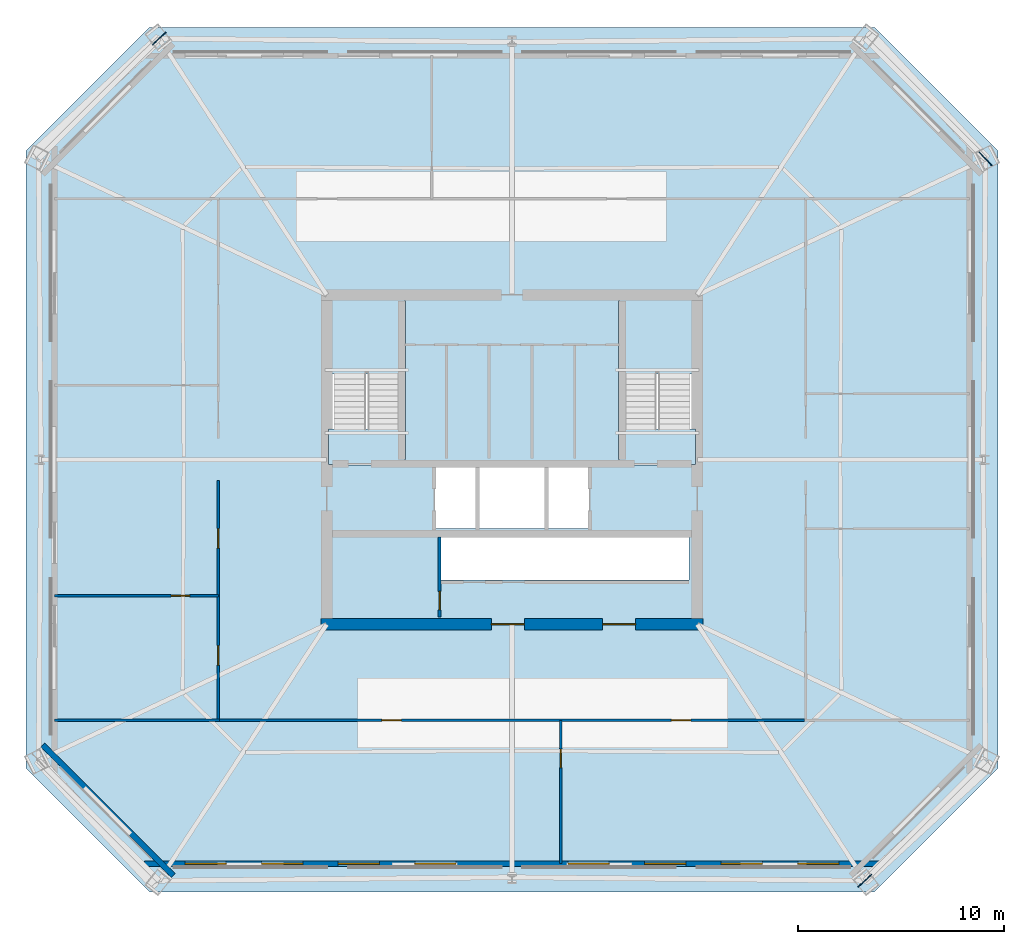
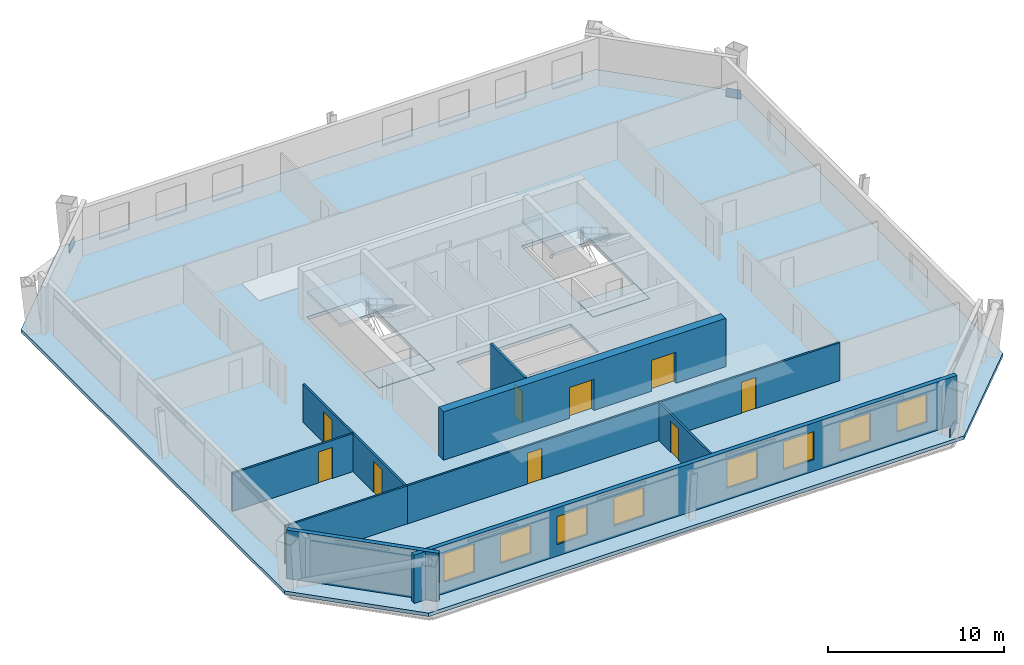
# One storey, part 2 of 7: 9 doors, 9 walls, 8 windows, 5 slabs, 3 plates, 17 openings, 2 elements without a shape of their own.
"""IFC4 building model written with IfcOpenShell, lengths in metres."""

from ifc_helpers import new_model, si_unit, direction, frame, frame_2d, origin, origin_2d, place, context, subcontext, project, spatial, polyline, rectangle, outline, extrude, material, layer, layer_set, type_object, element, fill, aggregate, save


model = new_model("IFC4")

# Units and contexts
model_context = context("Model", 3, precision=1e-05, world=origin(), true_north=direction((0.0, 1.0)))
body_context = subcontext(model_context, "Body", "Model", "MODEL_VIEW")
ifc_project = project(units=[si_unit("LENGTHUNIT", "METRE"), si_unit("AREAUNIT", "SQUARE_METRE"), si_unit("VOLUMEUNIT", "CUBIC_METRE"), si_unit("PLANEANGLEUNIT", "RADIAN"), si_unit("MASSUNIT", "GRAM", prefix="KILO")], contexts=[model_context])

# Site, building, storey
site_placement = place(None, origin())
site = spatial("IfcSite", under=ifc_project, at=site_placement, CompositionType="ELEMENT")
building_placement = place(site_placement, origin())
building = spatial("IfcBuilding", under=site, at=building_placement, Name="Caelvoria Tower", CompositionType="ELEMENT")
storey_placement = place(building_placement, frame((0.0, 0.0, 124.0)))
storey = spatial("IfcBuildingStorey", under=building, at=storey_placement, Name="L32", CompositionType="ELEMENT", Elevation=124.0)

# Plates
ifc_material_1 = material(Name="Structural Steel ASTM A572 Gr.50", Category="steel")
ifc_layer_1 = layer(ifc_material_1, 0.0400390625, Name="Structural Steel ASTM A572 Gr.50")
ifc_layer_set_1 = layer_set([ifc_layer_1], Name="Megaframe Node Gusset Plate 900x600x40 - Structural Steel ASTM A572 Gr.50")
plate_type = type_object("IfcPlateType", Name="Megaframe Node Gusset Plate 900x600x40", PredefinedType="USERDEFINED", material=ifc_layer_set_1)
for number, where, z_axis, x_axis, name in (
    (1, (63.137451171875, 11.5517578125, 0.02001953125), (0.0, 0.0, 1.0), (0.734642305205, 0.678454628846, 0.0), "Chamfer Mega Brace Gusset L32 SE"),
    (2, (68.992431640625, 46.61376953125, 0.02001953125), (0.0, 0.0, 1.0), (-0.680773286887, 0.732494185548, 0.0), "Chamfer Mega Brace Gusset L32 NE"),
    (3, (28.862548828125, 52.4482421875, 0.02001953125), (0.0, 0.0, 1.0), (-0.734642305205, -0.678454628846, 0.0), "Chamfer Mega Brace Gusset L32 NW"),
):
    element("IfcPlate", number, at=place(storey_placement, frame(where, z_axis=z_axis, x_axis=x_axis)), inside=storey, type_object=plate_type, Name=name, ObjectType="GUSSET_PLATE", PredefinedType="USERDEFINED", context=body_context, shape_type="SweptSolid", body=[
        extrude(rectangle(XDim=0.89990234375, YDim=0.0400390625, at=origin_2d()), origin(), (0.0, 0.0, 1.0), 0.60009765625),
    ])

# Stair, slabs
ifc_material_2 = material(Name="Concrete C40/50", Category="concrete")
stair_type = type_object("IfcStairType", Name="Core Smokeproof Dogleg Stair Concrete C40/50", PredefinedType="HALF_TURN_STAIR", material=ifc_material_2)
stair_1_placement = place(storey_placement, origin())
stair_1 = element("IfcStair", 4, at=stair_1_placement, inside=storey, type_object=stair_type, Name="ST-01 Smokeproof Exit Stair L32", PredefinedType="HALF_TURN_STAIR")
ifc_layer_2 = layer(ifc_material_2, 0.199951171875, Name="Concrete C40/50")
ifc_layer_set_2 = layer_set([ifc_layer_2], Name="Stair Half and Floor Landing Slab 200 Concrete C40/50 - Concrete C40/50")
slab_type_1 = type_object("IfcSlabType", Name="Stair Half and Floor Landing Slab 200 Concrete C40/50", PredefinedType="LANDING", material=ifc_layer_set_2)
slab_1_placement = place(storey_placement, frame((0.0, 0.0, -0.199951171875)))
slab_1 = element("IfcSlab", 5, at=slab_1_placement, type_object=slab_type_1, Name="ST-01 landing 1", PredefinedType="LANDING", context=body_context, shape_type="SweptSolid", body=[
    extrude(outline(polyline([(37.10009765625, 31.77001953125), (40.800048828125, 31.77001953125), (40.800048828125, 33.5), (37.10009765625, 33.5), (37.10009765625, 31.77001953125)])), origin(), (0.0, 0.0, 1.0), 0.199951171875),
])
slab_2_placement = place(storey_placement, frame((0.0, 0.0, 1.60009765625)))
slab_2 = element("IfcSlab", 6, at=slab_2_placement, type_object=slab_type_1, Name="ST-01 landing 2", PredefinedType="LANDING", context=body_context, shape_type="SweptSolid", body=[
    extrude(outline(polyline([(37.10009765625, 36.14990234375), (40.800048828125, 36.14990234375), (40.800048828125, 39.89990234375), (37.10009765625, 39.89990234375), (37.10009765625, 36.14990234375)])), origin(), (0.0, 0.0, 1.0), 0.199951171875),
])
aggregate(stair_1, [slab_1, slab_2])

stair_2_placement = place(storey_placement, origin())
stair_2 = element("IfcStair", 7, at=stair_2_placement, inside=storey, type_object=stair_type, Name="ST-02 Smokeproof Exit Stair L32", PredefinedType="HALF_TURN_STAIR")
slab_3_placement = place(storey_placement, frame((0.0, 0.0, -0.199951171875)))
slab_3 = element("IfcSlab", 8, at=slab_3_placement, type_object=slab_type_1, Name="ST-02 landing 1", PredefinedType="LANDING", context=body_context, shape_type="SweptSolid", body=[
    extrude(outline(polyline([(51.199951171875, 31.77001953125), (54.89990234375, 31.77001953125), (54.89990234375, 33.5), (51.199951171875, 33.5), (51.199951171875, 31.77001953125)])), origin(), (0.0, 0.0, 1.0), 0.199951171875),
])
slab_4_placement = place(storey_placement, frame((0.0, 0.0, 1.60009765625)))
slab_4 = element("IfcSlab", 9, at=slab_4_placement, type_object=slab_type_1, Name="ST-02 landing 2", PredefinedType="LANDING", context=body_context, shape_type="SweptSolid", body=[
    extrude(outline(polyline([(51.199951171875, 36.14990234375), (54.89990234375, 36.14990234375), (54.89990234375, 39.89990234375), (51.199951171875, 39.89990234375), (51.199951171875, 36.14990234375)])), origin(), (0.0, 0.0, 1.0), 0.199951171875),
])
aggregate(stair_2, [slab_3, slab_4])

# Slab
ifc_layer_3 = layer(ifc_material_2, 0.239990234375, Name="Concrete C40/50")
ifc_layer_set_3 = layer_set([ifc_layer_3], Name="Tower Composite Office Slab 240 - Concrete C40/50")
slab_type_2 = type_object("IfcSlabType", Name="Tower Composite Office Slab 240", PredefinedType="FLOOR", material=ifc_layer_set_3)
slab_5_placement = place(storey_placement, frame((0.0, 0.0, -0.239990234375)))
element("IfcSlab", 10, at=slab_5_placement, inside=storey, type_object=slab_type_2, Name="Level L32 Structural Floor Slab", PredefinedType="FLOOR", context=body_context, shape_type="SweptSolid", body=[
    extrude(outline(polyline([(28.39990234375, 11.0), (63.60009765625, 11.0), (69.60009765625, 17.0), (69.60009765625, 47.0), (63.60009765625, 53.0), (28.39990234375, 53.0), (22.39990234375, 47.0), (22.39990234375, 17.0), (28.39990234375, 11.0)]), holes=[polyline([(37.080078125, 31.75), (40.820068359375, 31.75), (40.820068359375, 39.919921875), (37.080078125, 39.919921875), (37.080078125, 31.75)]), polyline([(51.179931640625, 31.75), (54.919921875, 31.75), (54.919921875, 39.919921875), (51.179931640625, 39.919921875), (51.179931640625, 31.75)]), polyline([(42.25, 28.64990234375), (49.75, 28.64990234375), (49.75, 31.800048828125), (42.25, 31.800048828125), (42.25, 28.64990234375)]), polyline([(42.550048828125, 26.14990234375), (54.60009765625, 26.14990234375), (54.60009765625, 28.25), (42.550048828125, 28.25), (42.550048828125, 26.14990234375)])]), origin(), (0.0, 0.0, 1.0), 0.239990234375),
])

# Wall, opening, door
ifc_material_3 = material(Name="Double Gypsum Board on Steel Stud", Category="steel")
ifc_layer_4 = layer(ifc_material_3, 0.14990234375, Name="Double Gypsum Board on Steel Stud")
ifc_layer_set_4 = layer_set([ifc_layer_4], Name="Core Service Acoustic Partition Wall 150 - Double Gypsum Board on Steel Stud")
wall_type_1 = type_object("IfcWallType", Name="Core Service Acoustic Partition Wall 150", PredefinedType="PARTITIONING", material=ifc_layer_set_4)
wall_1_placement = place(storey_placement, frame((42.47998046875, 24.35009765625, 0.0), z_axis=(0.0, 0.0, 1.0), x_axis=(0.0, 1.0, 0.0)))
wall_1 = element("IfcWall", 11, at=wall_1_placement, inside=storey, type_object=wall_type_1, Name="Interior Partition IW-L32-RECL1E", PredefinedType="PARTITIONING", context=body_context, shape_type="SweptSolid", body=[
    extrude(rectangle(XDim=3.89990234375, YDim=0.14990234375, at=frame_2d((1.949951171875, 0.0))), origin(), (0.0, 0.0, 1.0), 3.360107421875),
])
opening_1_placement = place(wall_1_placement, frame((0.35009765625, 0.0, 0.0)))
opening_1 = element("IfcOpeningElement", 12, at=opening_1_placement, cuts=wall_1, Name="Opening ID-04", PredefinedType="OPENING", context=body_context, shape_type="SweptSolid", body=[
    extrude(rectangle(XDim=0.89990234375, YDim=2.14990234375, at=frame_2d((0.449951171875, 1.074951171875))), frame((0.0, 0.0849609375, 0.0), z_axis=(0.0, -1.0, 0.0), x_axis=(1.0, 0.0, 0.0)), (0.0, 0.0, 1.0), 0.169921875),
])
ifc_material_4 = material(Name="Acoustic Timber Fire Door", Category="wood")
door_type_1 = type_object("IfcDoorType", Name="Fire Door FD30S 900x2150", OperationType="NOTDEFINED", PredefinedType="DOOR", material=ifc_material_4)
door_1_placement = place(opening_1_placement, origin())
door_1 = element("IfcDoor", 13, at=door_1_placement, inside=storey, type_object=door_type_1, Name="Interior Door DR-L32-RECL1", OperationType="SINGLE_SWING_LEFT", OverallHeight=2.14990234375, OverallWidth=0.89990234375, PredefinedType="DOOR", context=body_context, shape_type="SweptSolid", body=[
    extrude(rectangle(XDim=0.89990234375, YDim=2.14990234375, at=frame_2d((0.449951171875, 1.074951171875))), frame((0.0, 0.02490234375, 0.0), z_axis=(0.0, -1.0, 0.0), x_axis=(1.0, 0.0, 0.0)), (0.0, 0.0, 1.0), 0.050048828125),
])
fill(opening_1, door_1)

# Wall, openings, windows
ifc_material_5 = material(Name="Precast Concrete C40/50 with Bronze Cladding", Category="concrete")
ifc_layer_5 = layer(ifc_material_5, 0.280029296875, Name="Precast Concrete C40/50 with Bronze Cladding")
ifc_layer_set_5 = layer_set([ifc_layer_5], Name="Exterior Precast Concrete C40/50 Bronze-Clad Facade Wall 280 - Precast Concrete C40/50 with Bronze Cladding")
wall_type_2 = type_object("IfcWallType", Name="Exterior Precast Concrete C40/50 Bronze-Clad Facade Wall 280", PredefinedType="STANDARD", material=ifc_layer_set_5)
wall_2_placement = place(storey_placement, frame((28.159912109375, 12.3798828125, 0.0), z_axis=(0.0, 0.0, 1.0), x_axis=(1.0, 0.0, 0.0)))
wall_2 = element("IfcWall", 14, at=wall_2_placement, inside=storey, type_object=wall_type_2, Name="Exterior Facade Wall L32-E0", PredefinedType="STANDARD", context=body_context, shape_type="SweptSolid", body=[
    extrude(rectangle(XDim=35.68017578125, YDim=0.280029296875, at=frame_2d((17.840087890625, 0.0))), origin(), (0.0, 0.0, 1.0), 3.360107421875),
])
opening_2_placement = place(wall_2_placement, frame((1.9599609375, 0.0, 0.800048828125)))
opening_2 = element("IfcOpeningElement", 15, at=opening_2_placement, cuts=wall_2, Name="Opening WN-01", PredefinedType="OPENING", context=body_context, shape_type="SweptSolid", body=[
    extrude(rectangle(XDim=2.0, YDim=1.949951171875, at=frame_2d((1.0, 0.97509765625))), frame((0.0, 0.14990234375, 0.0), z_axis=(0.0, -1.0, 0.0), x_axis=(1.0, 0.0, 0.0)), (0.0, 0.0, 1.0), 0.300048828125),
])
opening_3_placement = place(wall_2_placement, frame((5.679931640625, 0.0, 0.800048828125)))
opening_3 = element("IfcOpeningElement", 16, at=opening_3_placement, cuts=wall_2, Name="Opening WN-01", PredefinedType="OPENING", context=body_context, shape_type="SweptSolid", body=[
    extrude(rectangle(XDim=2.0, YDim=1.949951171875, at=frame_2d((1.0, 0.97509765625))), frame((0.0, 0.14990234375, 0.0), z_axis=(0.0, -1.0, 0.0), x_axis=(1.0, 0.0, 0.0)), (0.0, 0.0, 1.0), 0.300048828125),
])
opening_4_placement = place(wall_2_placement, frame((9.39990234375, 0.0, 0.800048828125)))
opening_4 = element("IfcOpeningElement", 17, at=opening_4_placement, cuts=wall_2, Name="Opening WN-01", PredefinedType="OPENING", context=body_context, shape_type="SweptSolid", body=[
    extrude(rectangle(XDim=2.0, YDim=1.949951171875, at=frame_2d((1.0, 0.97509765625))), frame((0.0, 0.14990234375, 0.0), z_axis=(0.0, -1.0, 0.0), x_axis=(1.0, 0.0, 0.0)), (0.0, 0.0, 1.0), 0.300048828125),
])
opening_5_placement = place(wall_2_placement, frame((13.1201171875, 0.0, 0.800048828125)))
opening_5 = element("IfcOpeningElement", 18, at=opening_5_placement, cuts=wall_2, Name="Opening WN-01", PredefinedType="OPENING", context=body_context, shape_type="SweptSolid", body=[
    extrude(rectangle(XDim=2.0, YDim=1.949951171875, at=frame_2d((1.0, 0.97509765625))), frame((0.0, 0.14990234375, 0.0), z_axis=(0.0, -1.0, 0.0), x_axis=(1.0, 0.0, 0.0)), (0.0, 0.0, 1.0), 0.300048828125),
])
opening_6_placement = place(wall_2_placement, frame((20.56005859375, 0.0, 0.800048828125)))
opening_6 = element("IfcOpeningElement", 19, at=opening_6_placement, cuts=wall_2, Name="Opening WN-01", PredefinedType="OPENING", context=body_context, shape_type="SweptSolid", body=[
    extrude(rectangle(XDim=2.0, YDim=1.949951171875, at=frame_2d((1.0, 0.97509765625))), frame((0.0, 0.14990234375, 0.0), z_axis=(0.0, -1.0, 0.0), x_axis=(1.0, 0.0, 0.0)), (0.0, 0.0, 1.0), 0.300048828125),
])
opening_7_placement = place(wall_2_placement, frame((24.280029296875, 0.0, 0.800048828125)))
opening_7 = element("IfcOpeningElement", 20, at=opening_7_placement, cuts=wall_2, Name="Opening WN-01", PredefinedType="OPENING", context=body_context, shape_type="SweptSolid", body=[
    extrude(rectangle(XDim=2.0, YDim=1.949951171875, at=frame_2d((1.0, 0.97509765625))), frame((0.0, 0.14990234375, 0.0), z_axis=(0.0, -1.0, 0.0), x_axis=(1.0, 0.0, 0.0)), (0.0, 0.0, 1.0), 0.300048828125),
])
opening_8_placement = place(wall_2_placement, frame((28.0, 0.0, 0.800048828125)))
opening_8 = element("IfcOpeningElement", 21, at=opening_8_placement, cuts=wall_2, Name="Opening WN-01", PredefinedType="OPENING", context=body_context, shape_type="SweptSolid", body=[
    extrude(rectangle(XDim=2.0, YDim=1.949951171875, at=frame_2d((1.0, 0.97509765625))), frame((0.0, 0.14990234375, 0.0), z_axis=(0.0, -1.0, 0.0), x_axis=(1.0, 0.0, 0.0)), (0.0, 0.0, 1.0), 0.300048828125),
])
opening_9_placement = place(wall_2_placement, frame((31.719970703125, 0.0, 0.800048828125)))
opening_9 = element("IfcOpeningElement", 22, at=opening_9_placement, cuts=wall_2, Name="Opening WN-01", PredefinedType="OPENING", context=body_context, shape_type="SweptSolid", body=[
    extrude(rectangle(XDim=2.0, YDim=1.949951171875, at=frame_2d((1.0, 0.97509765625))), frame((0.0, 0.14990234375, 0.0), z_axis=(0.0, -1.0, 0.0), x_axis=(1.0, 0.0, 0.0)), (0.0, 0.0, 1.0), 0.300048828125),
])
ifc_material_6 = material(Name="Low-E Tinted Glass in Bronze Aluminium Frame", Category="aluminium")
window_type = type_object("IfcWindowType", Name="Tower Office Vision Window 2000x1950", PartitioningType="SINGLE_PANEL", PredefinedType="WINDOW", material=ifc_material_6)
window_1_placement = place(opening_2_placement, origin())
window_1 = element("IfcWindow", 23, at=window_1_placement, inside=storey, type_object=window_type, Name="Facade Window L32-E0-00", OverallHeight=1.949951171875, OverallWidth=2.0, PartitioningType="SINGLE_PANEL", PredefinedType="WINDOW", context=body_context, shape_type="SweptSolid", body=[
    extrude(rectangle(XDim=2.0, YDim=1.949951171875, at=frame_2d((1.0, 0.97509765625))), frame((0.0, 0.030029296875, 0.0), z_axis=(0.0, -1.0, 0.0), x_axis=(1.0, 0.0, 0.0)), (0.0, 0.0, 1.0), 0.06005859375),
])
fill(opening_2, window_1)
window_2_placement = place(opening_3_placement, origin())
window_2 = element("IfcWindow", 24, at=window_2_placement, inside=storey, type_object=window_type, Name="Facade Window L32-E0-01", OverallHeight=1.949951171875, OverallWidth=2.0, PartitioningType="SINGLE_PANEL", PredefinedType="WINDOW", context=body_context, shape_type="SweptSolid", body=[
    extrude(rectangle(XDim=2.0, YDim=1.949951171875, at=frame_2d((1.0, 0.97509765625))), frame((0.0, 0.030029296875, 0.0), z_axis=(0.0, -1.0, 0.0), x_axis=(1.0, 0.0, 0.0)), (0.0, 0.0, 1.0), 0.06005859375),
])
fill(opening_3, window_2)
window_3_placement = place(opening_4_placement, origin())
window_3 = element("IfcWindow", 25, at=window_3_placement, inside=storey, type_object=window_type, Name="Facade Window L32-E0-02", OverallHeight=1.949951171875, OverallWidth=2.0, PartitioningType="SINGLE_PANEL", PredefinedType="WINDOW", context=body_context, shape_type="SweptSolid", body=[
    extrude(rectangle(XDim=2.0, YDim=1.949951171875, at=frame_2d((1.0, 0.97509765625))), frame((0.0, 0.030029296875, 0.0), z_axis=(0.0, -1.0, 0.0), x_axis=(1.0, 0.0, 0.0)), (0.0, 0.0, 1.0), 0.06005859375),
])
fill(opening_4, window_3)
window_4_placement = place(opening_5_placement, origin())
window_4 = element("IfcWindow", 26, at=window_4_placement, inside=storey, type_object=window_type, Name="Facade Window L32-E0-03", OverallHeight=1.949951171875, OverallWidth=2.0, PartitioningType="SINGLE_PANEL", PredefinedType="WINDOW", context=body_context, shape_type="SweptSolid", body=[
    extrude(rectangle(XDim=2.0, YDim=1.949951171875, at=frame_2d((1.0, 0.97509765625))), frame((0.0, 0.030029296875, 0.0), z_axis=(0.0, -1.0, 0.0), x_axis=(1.0, 0.0, 0.0)), (0.0, 0.0, 1.0), 0.06005859375),
])
fill(opening_5, window_4)
window_5_placement = place(opening_6_placement, origin())
window_5 = element("IfcWindow", 27, at=window_5_placement, inside=storey, type_object=window_type, Name="Facade Window L32-E0-05", OverallHeight=1.949951171875, OverallWidth=2.0, PartitioningType="SINGLE_PANEL", PredefinedType="WINDOW", context=body_context, shape_type="SweptSolid", body=[
    extrude(rectangle(XDim=2.0, YDim=1.949951171875, at=frame_2d((1.0, 0.97509765625))), frame((0.0, 0.030029296875, 0.0), z_axis=(0.0, -1.0, 0.0), x_axis=(1.0, 0.0, 0.0)), (0.0, 0.0, 1.0), 0.06005859375),
])
fill(opening_6, window_5)
window_6_placement = place(opening_7_placement, origin())
window_6 = element("IfcWindow", 28, at=window_6_placement, inside=storey, type_object=window_type, Name="Facade Window L32-E0-06", OverallHeight=1.949951171875, OverallWidth=2.0, PartitioningType="SINGLE_PANEL", PredefinedType="WINDOW", context=body_context, shape_type="SweptSolid", body=[
    extrude(rectangle(XDim=2.0, YDim=1.949951171875, at=frame_2d((1.0, 0.97509765625))), frame((0.0, 0.030029296875, 0.0), z_axis=(0.0, -1.0, 0.0), x_axis=(1.0, 0.0, 0.0)), (0.0, 0.0, 1.0), 0.06005859375),
])
fill(opening_7, window_6)
window_7_placement = place(opening_8_placement, origin())
window_7 = element("IfcWindow", 29, at=window_7_placement, inside=storey, type_object=window_type, Name="Facade Window L32-E0-07", OverallHeight=1.949951171875, OverallWidth=2.0, PartitioningType="SINGLE_PANEL", PredefinedType="WINDOW", context=body_context, shape_type="SweptSolid", body=[
    extrude(rectangle(XDim=2.0, YDim=1.949951171875, at=frame_2d((1.0, 0.97509765625))), frame((0.0, 0.030029296875, 0.0), z_axis=(0.0, -1.0, 0.0), x_axis=(1.0, 0.0, 0.0)), (0.0, 0.0, 1.0), 0.06005859375),
])
fill(opening_8, window_7)
window_8_placement = place(opening_9_placement, origin())
window_8 = element("IfcWindow", 30, at=window_8_placement, inside=storey, type_object=window_type, Name="Facade Window L32-E0-08", OverallHeight=1.949951171875, OverallWidth=2.0, PartitioningType="SINGLE_PANEL", PredefinedType="WINDOW", context=body_context, shape_type="SweptSolid", body=[
    extrude(rectangle(XDim=2.0, YDim=1.949951171875, at=frame_2d((1.0, 0.97509765625))), frame((0.0, 0.030029296875, 0.0), z_axis=(0.0, -1.0, 0.0), x_axis=(1.0, 0.0, 0.0)), (0.0, 0.0, 1.0), 0.06005859375),
])
fill(opening_9, window_8)

# Wall
wall_3_placement = place(storey_placement, frame((23.2060546875, 18.1455078125, 0.0), z_axis=(0.0, 0.0, 1.0), x_axis=(0.707106781187, -0.707106781187, 0.0)))
element("IfcWall", 31, at=wall_3_placement, inside=storey, type_object=wall_type_2, Name="Exterior Facade Wall L32-E7", PredefinedType="STANDARD", context=body_context, shape_type="SweptSolid", body=[
    extrude(rectangle(XDim=8.965087890625, YDim=0.280029296875, at=frame_2d((4.482421875, 0.0))), origin(), (0.0, 0.0, 1.0), 3.360107421875),
])

# Wall, openings, doors
ifc_material_7 = material(Name="Concrete C55/67", Category="concrete")
ifc_layer_6 = layer(ifc_material_7, 0.550048828125, Name="Concrete C55/67")
ifc_layer_set_6 = layer_set([ifc_layer_6], Name="Mid Core Shear Wall 550 - Concrete C55/67")
wall_type_3 = type_object("IfcWallType", Name="Mid Core Shear Wall 550", PredefinedType="SHEAR", material=ifc_layer_set_6)
wall_4_placement = place(storey_placement, frame((36.72509765625, 24.0, 0.0), z_axis=(0.0, 0.0, 1.0), x_axis=(1.0, 0.0, 0.0)))
wall_4 = element("IfcWall", 32, at=wall_4_placement, inside=storey, type_object=wall_type_3, Name="Core Shear Wall L32 S", PredefinedType="SHEAR", context=body_context, shape_type="SweptSolid", body=[
    extrude(rectangle(XDim=18.5498046875, YDim=0.550048828125, at=frame_2d((9.27490234375, 0.0))), origin(), (0.0, 0.0, 1.0), 3.360107421875),
])
opening_10_placement = place(wall_4_placement, frame((8.27490234375, 0.0, 0.0)))
opening_10 = element("IfcOpeningElement", 33, at=opening_10_placement, cuts=wall_4, Name="Opening ID-08", PredefinedType="OPENING", context=body_context, shape_type="SweptSolid", body=[
    extrude(rectangle(XDim=1.60009765625, YDim=2.14990234375, at=frame_2d((0.800048828125, 1.074951171875))), frame((0.0, 0.284912109375, 0.0), z_axis=(0.0, -1.0, 0.0), x_axis=(1.0, 0.0, 0.0)), (0.0, 0.0, 1.0), 0.570068359375),
])
opening_11_placement = place(wall_4_placement, frame((13.675048828125, 0.0, 0.0)))
opening_11 = element("IfcOpeningElement", 34, at=opening_11_placement, cuts=wall_4, Name="Opening ID-08", PredefinedType="OPENING", context=body_context, shape_type="SweptSolid", body=[
    extrude(rectangle(XDim=1.60009765625, YDim=2.14990234375, at=frame_2d((0.800048828125, 1.074951171875))), frame((0.0, 0.284912109375, 0.0), z_axis=(0.0, -1.0, 0.0), x_axis=(1.0, 0.0, 0.0)), (0.0, 0.0, 1.0), 0.570068359375),
])
ifc_material_8 = material(Name="Bronze-Framed Fire-Rated Glazed Double Door", Category="aluminium")
door_type_2 = type_object("IfcDoorType", Name="Double Lobby Glazed Door 1600x2200", OperationType="NOTDEFINED", PredefinedType="DOOR", material=ifc_material_8)
door_2_placement = place(opening_10_placement, origin())
door_2 = element("IfcDoor", 35, at=door_2_placement, inside=storey, type_object=door_type_2, Name="Core Door DR-L32-LLOB-S1", OperationType="DOUBLE_DOOR_SINGLE_SWING", OverallHeight=2.14990234375, OverallWidth=1.60009765625, PredefinedType="DOOR", context=body_context, shape_type="SweptSolid", body=[
    extrude(rectangle(XDim=1.60009765625, YDim=2.14990234375, at=frame_2d((0.800048828125, 1.074951171875))), frame((0.0, 0.02490234375, 0.0), z_axis=(0.0, -1.0, 0.0), x_axis=(1.0, 0.0, 0.0)), (0.0, 0.0, 1.0), 0.050048828125),
])
fill(opening_10, door_2)
door_3_placement = place(opening_11_placement, origin())
door_3 = element("IfcDoor", 36, at=door_3_placement, inside=storey, type_object=door_type_2, Name="Core Door DR-L32-LLOB-S2", OperationType="DOUBLE_DOOR_SINGLE_SWING", OverallHeight=2.14990234375, OverallWidth=1.60009765625, PredefinedType="DOOR", context=body_context, shape_type="SweptSolid", body=[
    extrude(rectangle(XDim=1.60009765625, YDim=2.14990234375, at=frame_2d((0.800048828125, 1.074951171875))), frame((0.0, 0.02490234375, 0.0), z_axis=(0.0, -1.0, 0.0), x_axis=(1.0, 0.0, 0.0)), (0.0, 0.0, 1.0), 0.050048828125),
])
fill(opening_11, door_3)

# Wall, opening, door
ifc_material_9 = material(Name="Acoustic Gypsum Board on Light-Gauge Stud", Category="gypsum")
ifc_layer_7 = layer(ifc_material_9, 0.1201171875, Name="Acoustic Gypsum Board on Light-Gauge Stud")
ifc_layer_set_7 = layer_set([ifc_layer_7], Name="Tenant Suite Acoustic Partition Wall 120 - Acoustic Gypsum Board on Light-Gauge Stud")
wall_type_4 = type_object("IfcWallType", Name="Tenant Suite Acoustic Partition Wall 120", PredefinedType="PARTITIONING", material=ifc_layer_set_7)
wall_5_placement = place(storey_placement, frame((48.366455078125, 19.340087890625, 0.0), z_axis=(0.0, 0.0, 1.0), x_axis=(0.0, -1.0, 0.0)))
wall_5 = element("IfcWall", 37, at=wall_5_placement, inside=storey, type_object=wall_type_4, Name="Interior Partition IW-L32-SD-00-0", PredefinedType="PARTITIONING", context=body_context, shape_type="SweptSolid", body=[
    extrude(rectangle(XDim=6.960205078125, YDim=0.1201171875, at=frame_2d((3.47998046875, 0.0))), origin(), (0.0, 0.0, 1.0), 2.639892578125),
])
opening_12_placement = place(wall_5_placement, frame((1.39990234375, 0.0, 0.0)))
opening_12 = element("IfcOpeningElement", 38, at=opening_12_placement, cuts=wall_5, Name="Opening ID-06", PredefinedType="OPENING", context=body_context, shape_type="SweptSolid", body=[
    extrude(rectangle(XDim=0.89990234375, YDim=2.14990234375, at=frame_2d((0.449951171875, 1.074951171875))), frame((0.0, 0.070068359375, 0.0), z_axis=(0.0, -1.0, 0.0), x_axis=(1.0, 0.0, 0.0)), (0.0, 0.0, 1.0), 0.14013671875),
])
ifc_material_10 = material(Name="Engineered Andean Oak Veneer Door", Category="wood")
door_type_3 = type_object("IfcDoorType", Name="Interior Timber Door 900x2150", OperationType="NOTDEFINED", PredefinedType="DOOR", material=ifc_material_10)
door_4_placement = place(opening_12_placement, origin())
door_4 = element("IfcDoor", 39, at=door_4_placement, inside=storey, type_object=door_type_3, Name="Interior Door DR-L32-SM-00-0", OperationType="SINGLE_SWING_RIGHT", OverallHeight=2.14990234375, OverallWidth=0.89990234375, PredefinedType="DOOR", context=body_context, shape_type="SweptSolid", body=[
    extrude(rectangle(XDim=0.89990234375, YDim=2.14990234375, at=frame_2d((0.449951171875, 1.074951171875))), frame((0.0, 0.02490234375, 0.0), z_axis=(0.0, -1.0, 0.0), x_axis=(1.0, 0.0, 0.0)), (0.0, 0.0, 1.0), 0.050048828125),
])
fill(opening_12, door_4)

# Wall, openings, doors
wall_6_placement = place(storey_placement, frame((31.800048828125, 19.340087890625, 0.0), z_axis=(0.0, 0.0, 1.0), x_axis=(1.0, 0.0, 0.0)))
wall_6 = element("IfcWall", 40, at=wall_6_placement, inside=storey, type_object=wall_type_4, Name="Interior Partition IW-L32-SCW-0", PredefinedType="PARTITIONING", context=body_context, shape_type="SweptSolid", body=[
    extrude(rectangle(XDim=28.39990234375, YDim=0.1201171875, at=frame_2d((14.199951171875, 0.0))), origin(), (0.0, 0.0, 1.0), 2.639892578125),
])
opening_13_placement = place(wall_6_placement, frame((7.878173828125, 0.0, 0.0)))
opening_13 = element("IfcOpeningElement", 41, at=opening_13_placement, cuts=wall_6, Name="Opening ID-05", PredefinedType="OPENING", context=body_context, shape_type="SweptSolid", body=[
    extrude(rectangle(XDim=0.949951171875, YDim=2.14990234375, at=frame_2d((0.47509765625, 1.074951171875))), frame((0.0, 0.070068359375, 0.0), z_axis=(0.0, -1.0, 0.0), x_axis=(1.0, 0.0, 0.0)), (0.0, 0.0, 1.0), 0.14013671875),
])
opening_14_placement = place(wall_6_placement, frame((21.938232421875, 0.0, 0.0)))
opening_14 = element("IfcOpeningElement", 42, at=opening_14_placement, cuts=wall_6, Name="Opening ID-05", PredefinedType="OPENING", context=body_context, shape_type="SweptSolid", body=[
    extrude(rectangle(XDim=0.949951171875, YDim=2.14990234375, at=frame_2d((0.47509765625, 1.074951171875))), frame((0.0, 0.070068359375, 0.0), z_axis=(0.0, -1.0, 0.0), x_axis=(1.0, 0.0, 0.0)), (0.0, 0.0, 1.0), 0.14013671875),
])
door_type_4 = type_object("IfcDoorType", Name="Interior Timber Door 950x2150", OperationType="NOTDEFINED", PredefinedType="DOOR", material=ifc_material_10)
door_5_placement = place(opening_13_placement, origin())
door_5 = element("IfcDoor", 43, at=door_5_placement, inside=storey, type_object=door_type_4, Name="Interior Door DR-L32-SC-00-0", OperationType="SINGLE_SWING_LEFT", OverallHeight=2.14990234375, OverallWidth=0.949951171875, PredefinedType="DOOR", context=body_context, shape_type="SweptSolid", body=[
    extrude(rectangle(XDim=0.949951171875, YDim=2.14990234375, at=frame_2d((0.47509765625, 1.074951171875))), frame((0.0, 0.02490234375, 0.0), z_axis=(0.0, -1.0, 0.0), x_axis=(1.0, 0.0, 0.0)), (0.0, 0.0, 1.0), 0.050048828125),
])
fill(opening_13, door_5)
door_6_placement = place(opening_14_placement, origin())
door_6 = element("IfcDoor", 44, at=door_6_placement, inside=storey, type_object=door_type_4, Name="Interior Door DR-L32-SC-01-0", OperationType="SINGLE_SWING_RIGHT", OverallHeight=2.14990234375, OverallWidth=0.949951171875, PredefinedType="DOOR", context=body_context, shape_type="SweptSolid", body=[
    extrude(rectangle(XDim=0.949951171875, YDim=2.14990234375, at=frame_2d((0.47509765625, 1.074951171875))), frame((0.0, 0.02490234375, 0.0), z_axis=(0.0, -1.0, 0.0), x_axis=(1.0, 0.0, 0.0)), (0.0, 0.0, 1.0), 0.050048828125),
])
fill(opening_14, door_6)

# Wall, opening, door
wall_7_placement = place(storey_placement, frame((31.739990234375, 25.382568359375, 0.0), z_axis=(0.0, 0.0, 1.0), x_axis=(-1.0, 0.0, 0.0)))
wall_7 = element("IfcWall", 45, at=wall_7_placement, inside=storey, type_object=wall_type_4, Name="Interior Partition IW-L32-WD-00-0", PredefinedType="PARTITIONING", context=body_context, shape_type="SweptSolid", body=[
    extrude(rectangle(XDim=7.9599609375, YDim=0.1201171875, at=frame_2d((3.97998046875, 0.0))), origin(), (0.0, 0.0, 1.0), 2.639892578125),
])
opening_15_placement = place(wall_7_placement, frame((1.39990234375, 0.0, 0.0)))
opening_15 = element("IfcOpeningElement", 46, at=opening_15_placement, cuts=wall_7, Name="Opening ID-06", PredefinedType="OPENING", context=body_context, shape_type="SweptSolid", body=[
    extrude(rectangle(XDim=0.89990234375, YDim=2.14990234375, at=frame_2d((0.449951171875, 1.074951171875))), frame((0.0, 0.070068359375, 0.0), z_axis=(0.0, -1.0, 0.0), x_axis=(1.0, 0.0, 0.0)), (0.0, 0.0, 1.0), 0.14013671875),
])
door_7_placement = place(opening_15_placement, origin())
door_7 = element("IfcDoor", 47, at=door_7_placement, inside=storey, type_object=door_type_3, Name="Interior Door DR-L32-WM-00-0", OperationType="SINGLE_SWING_RIGHT", OverallHeight=2.14990234375, OverallWidth=0.89990234375, PredefinedType="DOOR", context=body_context, shape_type="SweptSolid", body=[
    extrude(rectangle(XDim=0.89990234375, YDim=2.14990234375, at=frame_2d((0.449951171875, 1.074951171875))), frame((0.0, 0.02490234375, 0.0), z_axis=(0.0, -1.0, 0.0), x_axis=(1.0, 0.0, 0.0)), (0.0, 0.0, 1.0), 0.050048828125),
])
fill(opening_15, door_7)

# Wall, openings, doors
wall_8_placement = place(storey_placement, frame((31.739990234375, 19.39990234375, 0.0), z_axis=(0.0, 0.0, 1.0), x_axis=(0.0, 1.0, 0.0)))
wall_8 = element("IfcWall", 48, at=wall_8_placement, inside=storey, type_object=wall_type_4, Name="Interior Partition IW-L32-WCW-0", PredefinedType="PARTITIONING", context=body_context, shape_type="SweptSolid", body=[
    extrude(rectangle(XDim=11.580078125, YDim=0.1201171875, at=frame_2d((5.7900390625, 0.0))), origin(), (0.0, 0.0, 1.0), 2.639892578125),
])
opening_16_placement = place(wall_8_placement, frame((2.6162109375, 0.0, 0.0)))
opening_16 = element("IfcOpeningElement", 49, at=opening_16_placement, cuts=wall_8, Name="Opening ID-05", PredefinedType="OPENING", context=body_context, shape_type="SweptSolid", body=[
    extrude(rectangle(XDim=0.949951171875, YDim=2.14990234375, at=frame_2d((0.47509765625, 1.074951171875))), frame((0.0, 0.070068359375, 0.0), z_axis=(0.0, -1.0, 0.0), x_axis=(1.0, 0.0, 0.0)), (0.0, 0.0, 1.0), 0.14013671875),
])
opening_17_placement = place(wall_8_placement, frame((8.306396484375, 0.0, 0.0)))
opening_17 = element("IfcOpeningElement", 50, at=opening_17_placement, cuts=wall_8, Name="Opening ID-05", PredefinedType="OPENING", context=body_context, shape_type="SweptSolid", body=[
    extrude(rectangle(XDim=0.949951171875, YDim=2.14990234375, at=frame_2d((0.47509765625, 1.074951171875))), frame((0.0, 0.070068359375, 0.0), z_axis=(0.0, -1.0, 0.0), x_axis=(1.0, 0.0, 0.0)), (0.0, 0.0, 1.0), 0.14013671875),
])
door_8_placement = place(opening_16_placement, origin())
door_8 = element("IfcDoor", 51, at=door_8_placement, inside=storey, type_object=door_type_4, Name="Interior Door DR-L32-WC-00-0", OperationType="SINGLE_SWING_LEFT", OverallHeight=2.14990234375, OverallWidth=0.949951171875, PredefinedType="DOOR", context=body_context, shape_type="SweptSolid", body=[
    extrude(rectangle(XDim=0.949951171875, YDim=2.14990234375, at=frame_2d((0.47509765625, 1.074951171875))), frame((0.0, 0.02490234375, 0.0), z_axis=(0.0, -1.0, 0.0), x_axis=(1.0, 0.0, 0.0)), (0.0, 0.0, 1.0), 0.050048828125),
])
fill(opening_16, door_8)
door_9_placement = place(opening_17_placement, origin())
door_9 = element("IfcDoor", 52, at=door_9_placement, inside=storey, type_object=door_type_4, Name="Interior Door DR-L32-WC-01-1", OperationType="SINGLE_SWING_LEFT", OverallHeight=2.14990234375, OverallWidth=0.949951171875, PredefinedType="DOOR", context=body_context, shape_type="SweptSolid", body=[
    extrude(rectangle(XDim=0.949951171875, YDim=2.14990234375, at=frame_2d((0.47509765625, 1.074951171875))), frame((0.0, 0.02490234375, 0.0), z_axis=(0.0, -1.0, 0.0), x_axis=(1.0, 0.0, 0.0)), (0.0, 0.0, 1.0), 0.050048828125),
])
fill(opening_17, door_9)

# Wall
wall_9_placement = place(storey_placement, frame((31.800048828125, 19.340087890625, 0.0), z_axis=(0.0, 0.0, 1.0), x_axis=(-1.0, 0.0, 0.0)))
element("IfcWall", 53, at=wall_9_placement, inside=storey, type_object=wall_type_4, Name="Interior Partition IW-L32-BSW-0", PredefinedType="PARTITIONING", context=body_context, shape_type="SweptSolid", body=[
    extrude(rectangle(XDim=8.02001953125, YDim=0.1201171875, at=frame_2d((4.010009765625, 0.0))), origin(), (0.0, 0.0, 1.0), 2.639892578125),
])

save(model, "model.ifc")
